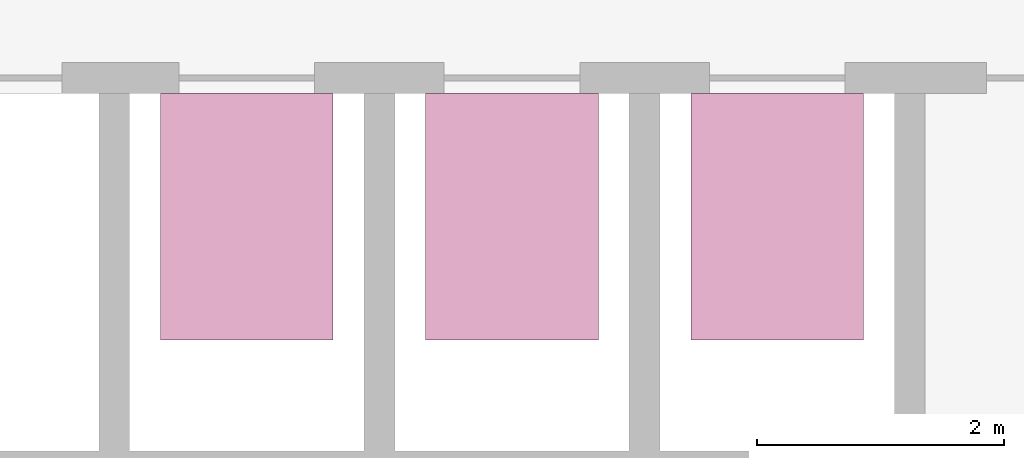
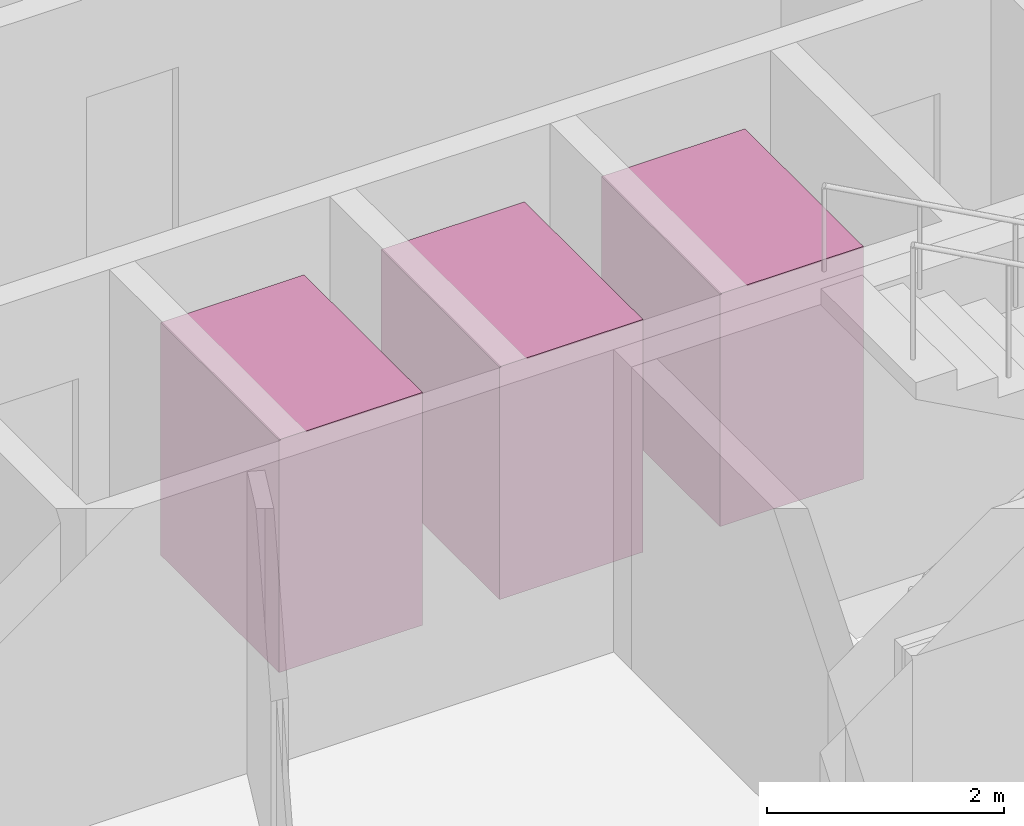
# One storey, part 19 of 19: 3 transport elements.
"""IFC4 building model written with IfcOpenShell, lengths in metres."""

from ifc_helpers import new_model, si_unit, direction, frame, origin, origin_2d, place, context, subcontext, project, spatial, rectangle, extrude, material, type_object, element, save


model = new_model("IFC4")

# Units and contexts
model_context = context("Model", 3, precision=1e-05, world=origin(), true_north=direction((0.0, 1.0)))
body_context = subcontext(model_context, "Body", "Model", "MODEL_VIEW")
ifc_project = project(units=[si_unit("LENGTHUNIT", "METRE"), si_unit("AREAUNIT", "SQUARE_METRE"), si_unit("VOLUMEUNIT", "CUBIC_METRE"), si_unit("PLANEANGLEUNIT", "RADIAN"), si_unit("MASSUNIT", "GRAM", prefix="KILO")], contexts=[model_context])

# Site, building, storey
site_placement = place(None, origin())
site = spatial("IfcSite", under=ifc_project, at=site_placement, CompositionType="ELEMENT")
building_placement = place(site_placement, origin())
building = spatial("IfcBuilding", under=site, at=building_placement, Name="Spindle Arch Residences", CompositionType="ELEMENT")
storey_placement = place(building_placement, frame((0.0, 0.0, 263.39990234375)))
storey = spatial("IfcBuildingStorey", under=building, at=storey_placement, Name="L67", CompositionType="ELEMENT", Elevation=263.39990234375)

# Transport elements
ifc_material = material(Name="Stainless steel", Category="steel")
transport_element_type = type_object("IfcTransportElementType", Name="Passenger lift car 1400x2000", PredefinedType="ELEVATOR", material=ifc_material)
for number, where, z_axis, x_axis, name in (
    (1, (-4.300048828125, -2.89990234375, 0.000244140625), (0.0, 0.0, 1.0), (1.0, 0.0, 0.0), "Passenger lift HB1"),
    (2, (-2.14990234375, -2.89990234375, 0.000244140625), (0.0, 0.0, 1.0), (1.0, 0.0, 0.0), "Passenger lift HB2"),
    (3, (0.0, -2.89990234375, 0.000244140625), (0.0, 0.0, 1.0), (1.0, 0.0, 0.0), "Passenger lift HB3"),
):
    element("IfcTransportElement", number, at=place(storey_placement, frame(where, z_axis=z_axis, x_axis=x_axis)), inside=storey, type_object=transport_element_type, Name=name, PredefinedType="ELEVATOR", context=body_context, shape_type="SweptSolid", body=[
        extrude(rectangle(XDim=1.39990234375, YDim=2.0, at=origin_2d()), origin(), (0.0, 0.0, 1.0), 2.39990234375),
    ])

save(model, "model.ifc")
